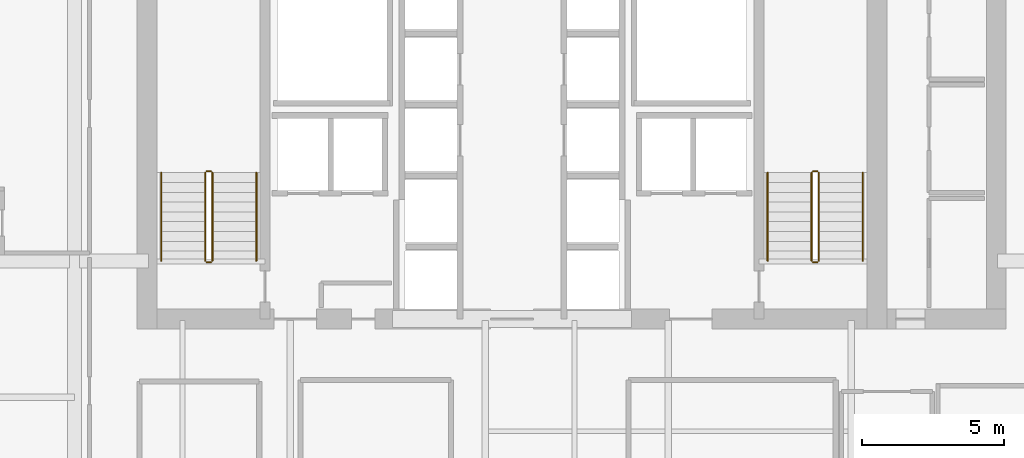
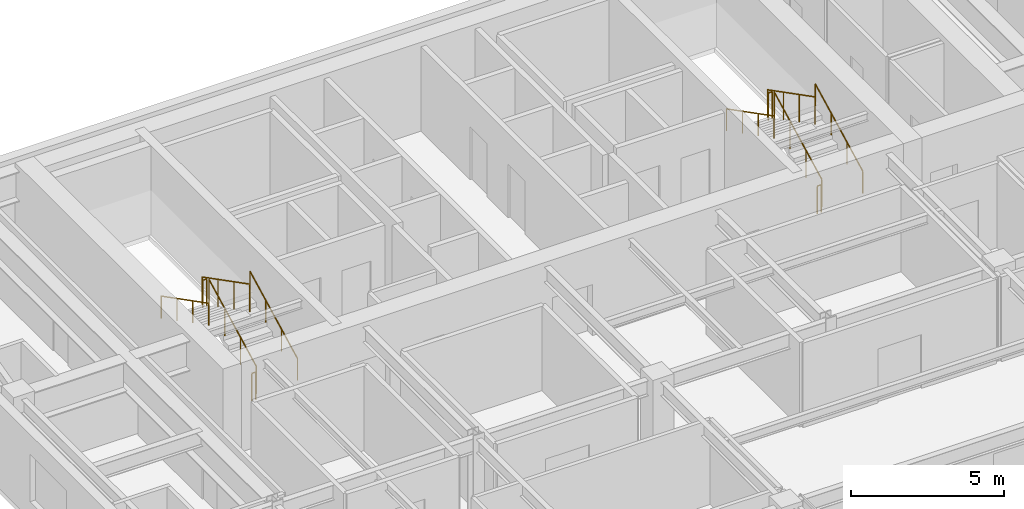
# One storey, part 15 of 15: 12 railings.
"""IFC4 building model written with IfcOpenShell, lengths in metres."""

from ifc_helpers import new_model, si_unit, direction, frame, origin, origin_2d, place, context, subcontext, project, spatial, circle, extrude, material, type_object, element, save


model = new_model("IFC4")

# Units and contexts
model_context = context("Model", 3, precision=1e-05, world=origin(), true_north=direction((0.0, 1.0)))
body_context = subcontext(model_context, "Body", "Model", "MODEL_VIEW")
ifc_project = project(units=[si_unit("LENGTHUNIT", "METRE"), si_unit("AREAUNIT", "SQUARE_METRE"), si_unit("VOLUMEUNIT", "CUBIC_METRE"), si_unit("PLANEANGLEUNIT", "RADIAN"), si_unit("MASSUNIT", "GRAM", prefix="KILO")], contexts=[model_context])

# Site, building, storey
site_placement = place(None, origin())
site = spatial("IfcSite", under=ifc_project, at=site_placement, CompositionType="ELEMENT")
building_placement = place(site_placement, origin())
building = spatial("IfcBuilding", under=site, at=building_placement, Name="Tolvann Quenvar Hotel", CompositionType="ELEMENT")
storey_placement = place(building_placement, frame((0.0, 0.0, 164.800048828125)))
storey = spatial("IfcBuildingStorey", under=building, at=storey_placement, Name="L43", CompositionType="ELEMENT", Elevation=164.800048828125)

# Railings
ifc_material = material(Name="Brushed 316 stainless steel balustrade and handrail", Category="steel")
railing_type_1 = type_object("IfcRailingType", Name="GUARDRAIL", PredefinedType="GUARDRAIL", material=ifc_material)
railing_1_placement = place(storey_placement, frame((12.449951171875, 34.0, 0.177490234375)))
element("IfcRailing", 1, at=railing_1_placement, inside=storey, type_object=railing_type_1, Name="L43 ST-C1 stair guard 1", PredefinedType="GUARDRAIL", context=body_context, shape_type="SweptSolid", body=[
    extrude(circle(Radius=0.02392578125, at=origin_2d()), frame((0.0, 0.0, 1.09619140625), z_axis=(0.0, 0.889221982265, 0.45747597342), x_axis=(-1.0, 0.0, 0.0)), (0.0, 0.0, 1.0), 3.49169921875),
    extrude(circle(Radius=0.02099609375, at=origin_2d()), origin(), (0.0, 0.0, 1.0), 1.072021484375),
    extrude(circle(Radius=0.02099609375, at=origin_2d()), frame((0.0, 1.034912109375, 0.532470703125)), (0.0, 0.0, 1.0), 1.072021484375),
    extrude(circle(Radius=0.02099609375, at=origin_2d()), frame((0.0, 2.070068359375, 1.06494140625)), (0.0, 0.0, 1.0), 1.072021484375),
    extrude(circle(Radius=0.02099609375, at=origin_2d()), frame((0.0, 3.10498046875, 1.597412109375)), (0.0, 0.0, 1.0), 1.072021484375),
])
railing_2_placement = place(storey_placement, frame((12.39990234375, 37.155029296875, 1.77490234375)))
element("IfcRailing", 2, at=railing_2_placement, inside=storey, type_object=railing_type_1, Name="L43 ST-C1 stair guard 2", PredefinedType="GUARDRAIL", context=body_context, shape_type="SweptSolid", body=[
    extrude(circle(Radius=0.02392578125, at=origin_2d()), frame((0.0, 0.0, 1.09619140625), z_axis=(-1.0, 0.0, 0.0), x_axis=(0.0, -1.0, 0.0)), (0.0, 0.0, 1.0), 0.14990234375),
    extrude(circle(Radius=0.02099609375, at=origin_2d()), origin(), (0.0, 0.0, 1.0), 1.072021484375),
    extrude(circle(Radius=0.02099609375, at=origin_2d()), frame((-0.14990234375, 0.0, 0.0)), (0.0, 0.0, 1.0), 1.072021484375),
])
railing_3_placement = place(storey_placement, frame((12.199951171875, 37.10498046875, 1.952392578125)))
element("IfcRailing", 3, at=railing_3_placement, inside=storey, type_object=railing_type_1, Name="L43 ST-C1 stair guard 3", PredefinedType="GUARDRAIL", context=body_context, shape_type="SweptSolid", body=[
    extrude(circle(Radius=0.02392578125, at=origin_2d()), frame((0.0, 0.0, 1.09619140625), z_axis=(0.0, -0.88919353882, 0.457531256332), x_axis=(1.0, 0.0, 0.0)), (0.0, 0.0, 1.0), 3.491943359375),
    extrude(circle(Radius=0.02099609375, at=origin_2d()), origin(), (0.0, 0.0, 1.0), 1.072021484375),
    extrude(circle(Radius=0.02099609375, at=origin_2d()), frame((0.0, -1.034912109375, 0.532470703125)), (0.0, 0.0, 1.0), 1.072021484375),
    extrude(circle(Radius=0.02099609375, at=origin_2d()), frame((0.0, -2.070068359375, 1.065185546875)), (0.0, 0.0, 1.0), 1.072021484375),
    extrude(circle(Radius=0.02099609375, at=origin_2d()), frame((0.0, -3.10498046875, 1.59765625)), (0.0, 0.0, 1.0), 1.072021484375),
])
railing_4_placement = place(storey_placement, frame((12.39990234375, 33.949951171875, 0.0)))
element("IfcRailing", 4, at=railing_4_placement, inside=storey, type_object=railing_type_1, Name="L43 ST-C1 stair guard 4", PredefinedType="GUARDRAIL", context=body_context, shape_type="SweptSolid", body=[
    extrude(circle(Radius=0.02392578125, at=origin_2d()), frame((0.0, 0.0, 1.09619140625), z_axis=(-1.0, 0.0, 0.0), x_axis=(0.0, -1.0, 0.0)), (0.0, 0.0, 1.0), 0.14990234375),
    extrude(circle(Radius=0.02099609375, at=origin_2d()), origin(), (0.0, 0.0, 1.0), 1.072021484375),
    extrude(circle(Radius=0.02099609375, at=origin_2d()), frame((-0.14990234375, 0.0, 0.0)), (0.0, 0.0, 1.0), 1.072021484375),
])
railing_5_placement = place(storey_placement, frame((33.800048828125, 34.0, 0.177490234375)))
element("IfcRailing", 5, at=railing_5_placement, inside=storey, type_object=railing_type_1, Name="L43 ST-C2 stair guard 1", PredefinedType="GUARDRAIL", context=body_context, shape_type="SweptSolid", body=[
    extrude(circle(Radius=0.02392578125, at=origin_2d()), frame((0.0, 0.0, 1.09619140625), z_axis=(0.0, 0.889221982265, 0.45747597342), x_axis=(-1.0, 0.0, 0.0)), (0.0, 0.0, 1.0), 3.49169921875),
    extrude(circle(Radius=0.02099609375, at=origin_2d()), origin(), (0.0, 0.0, 1.0), 1.072021484375),
    extrude(circle(Radius=0.02099609375, at=origin_2d()), frame((0.0, 1.034912109375, 0.532470703125)), (0.0, 0.0, 1.0), 1.072021484375),
    extrude(circle(Radius=0.02099609375, at=origin_2d()), frame((0.0, 2.070068359375, 1.06494140625)), (0.0, 0.0, 1.0), 1.072021484375),
    extrude(circle(Radius=0.02099609375, at=origin_2d()), frame((0.0, 3.10498046875, 1.597412109375)), (0.0, 0.0, 1.0), 1.072021484375),
])
railing_6_placement = place(storey_placement, frame((33.75, 37.155029296875, 1.77490234375)))
element("IfcRailing", 6, at=railing_6_placement, inside=storey, type_object=railing_type_1, Name="L43 ST-C2 stair guard 2", PredefinedType="GUARDRAIL", context=body_context, shape_type="SweptSolid", body=[
    extrude(circle(Radius=0.02392578125, at=origin_2d()), frame((0.0, 0.0, 1.09619140625), z_axis=(-1.0, 0.0, 0.0), x_axis=(0.0, -1.0, 0.0)), (0.0, 0.0, 1.0), 0.14990234375),
    extrude(circle(Radius=0.02099609375, at=origin_2d()), origin(), (0.0, 0.0, 1.0), 1.072021484375),
    extrude(circle(Radius=0.02099609375, at=origin_2d()), frame((-0.14990234375, 0.0, 0.0)), (0.0, 0.0, 1.0), 1.072021484375),
])
railing_7_placement = place(storey_placement, frame((33.550048828125, 37.10498046875, 1.952392578125)))
element("IfcRailing", 7, at=railing_7_placement, inside=storey, type_object=railing_type_1, Name="L43 ST-C2 stair guard 3", PredefinedType="GUARDRAIL", context=body_context, shape_type="SweptSolid", body=[
    extrude(circle(Radius=0.02392578125, at=origin_2d()), frame((0.0, 0.0, 1.09619140625), z_axis=(0.0, -0.88919353882, 0.457531256332), x_axis=(1.0, 0.0, 0.0)), (0.0, 0.0, 1.0), 3.491943359375),
    extrude(circle(Radius=0.02099609375, at=origin_2d()), origin(), (0.0, 0.0, 1.0), 1.072021484375),
    extrude(circle(Radius=0.02099609375, at=origin_2d()), frame((0.0, -1.034912109375, 0.532470703125)), (0.0, 0.0, 1.0), 1.072021484375),
    extrude(circle(Radius=0.02099609375, at=origin_2d()), frame((0.0, -2.070068359375, 1.065185546875)), (0.0, 0.0, 1.0), 1.072021484375),
    extrude(circle(Radius=0.02099609375, at=origin_2d()), frame((0.0, -3.10498046875, 1.59765625)), (0.0, 0.0, 1.0), 1.072021484375),
])
railing_8_placement = place(storey_placement, frame((33.75, 33.949951171875, 0.0)))
element("IfcRailing", 8, at=railing_8_placement, inside=storey, type_object=railing_type_1, Name="L43 ST-C2 stair guard 4", PredefinedType="GUARDRAIL", context=body_context, shape_type="SweptSolid", body=[
    extrude(circle(Radius=0.02392578125, at=origin_2d()), frame((0.0, 0.0, 1.09619140625), z_axis=(-1.0, 0.0, 0.0), x_axis=(0.0, -1.0, 0.0)), (0.0, 0.0, 1.0), 0.14990234375),
    extrude(circle(Radius=0.02099609375, at=origin_2d()), origin(), (0.0, 0.0, 1.0), 1.072021484375),
    extrude(circle(Radius=0.02099609375, at=origin_2d()), frame((-0.14990234375, 0.0, 0.0)), (0.0, 0.0, 1.0), 1.072021484375),
])
railing_type_2 = type_object("IfcRailingType", Name="HANDRAIL", PredefinedType="HANDRAIL", material=ifc_material)
railing_9_placement = place(storey_placement, frame((14.0, 34.0, 0.177490234375)))
element("IfcRailing", 9, at=railing_9_placement, inside=storey, type_object=railing_type_2, Name="L43 ST-C1 stair handrail 1", PredefinedType="HANDRAIL", context=body_context, shape_type="SweptSolid", body=[
    extrude(circle(Radius=0.02392578125, at=origin_2d()), frame((0.0, 0.0, 0.8759765625), z_axis=(0.0, 0.889221982265, 0.45747597342), x_axis=(-1.0, 0.0, 0.0)), (0.0, 0.0, 1.0), 3.49169921875),
    extrude(circle(Radius=0.02099609375, at=origin_2d()), origin(), (0.0, 0.0, 1.0), 0.851806640625),
    extrude(circle(Radius=0.02099609375, at=origin_2d()), frame((0.0, 1.034912109375, 0.532470703125)), (0.0, 0.0, 1.0), 0.851806640625),
    extrude(circle(Radius=0.02099609375, at=origin_2d()), frame((0.0, 2.070068359375, 1.06494140625)), (0.0, 0.0, 1.0), 0.851806640625),
    extrude(circle(Radius=0.02099609375, at=origin_2d()), frame((0.0, 3.10498046875, 1.597412109375)), (0.0, 0.0, 1.0), 0.851806640625),
])
railing_10_placement = place(storey_placement, frame((10.64990234375, 37.10498046875, 1.952392578125)))
element("IfcRailing", 10, at=railing_10_placement, inside=storey, type_object=railing_type_2, Name="L43 ST-C1 stair handrail 2", PredefinedType="HANDRAIL", context=body_context, shape_type="SweptSolid", body=[
    extrude(circle(Radius=0.02392578125, at=origin_2d()), frame((0.0, 0.0, 0.8759765625), z_axis=(0.0, -0.88919353882, 0.457531256332), x_axis=(1.0, 0.0, 0.0)), (0.0, 0.0, 1.0), 3.491943359375),
    extrude(circle(Radius=0.02099609375, at=origin_2d()), origin(), (0.0, 0.0, 1.0), 0.851806640625),
    extrude(circle(Radius=0.02099609375, at=origin_2d()), frame((0.0, -1.034912109375, 0.532470703125)), (0.0, 0.0, 1.0), 0.851806640625),
    extrude(circle(Radius=0.02099609375, at=origin_2d()), frame((0.0, -2.070068359375, 1.065185546875)), (0.0, 0.0, 1.0), 0.851806640625),
    extrude(circle(Radius=0.02099609375, at=origin_2d()), frame((0.0, -3.10498046875, 1.59765625)), (0.0, 0.0, 1.0), 0.851806640625),
])
railing_11_placement = place(storey_placement, frame((35.35009765625, 34.0, 0.177490234375)))
element("IfcRailing", 11, at=railing_11_placement, inside=storey, type_object=railing_type_2, Name="L43 ST-C2 stair handrail 1", PredefinedType="HANDRAIL", context=body_context, shape_type="SweptSolid", body=[
    extrude(circle(Radius=0.02392578125, at=origin_2d()), frame((0.0, 0.0, 0.8759765625), z_axis=(0.0, 0.889221982265, 0.45747597342), x_axis=(-1.0, 0.0, 0.0)), (0.0, 0.0, 1.0), 3.49169921875),
    extrude(circle(Radius=0.02099609375, at=origin_2d()), origin(), (0.0, 0.0, 1.0), 0.851806640625),
    extrude(circle(Radius=0.02099609375, at=origin_2d()), frame((0.0, 1.034912109375, 0.532470703125)), (0.0, 0.0, 1.0), 0.851806640625),
    extrude(circle(Radius=0.02099609375, at=origin_2d()), frame((0.0, 2.070068359375, 1.06494140625)), (0.0, 0.0, 1.0), 0.851806640625),
    extrude(circle(Radius=0.02099609375, at=origin_2d()), frame((0.0, 3.10498046875, 1.597412109375)), (0.0, 0.0, 1.0), 0.851806640625),
])
railing_12_placement = place(storey_placement, frame((32.0, 37.10498046875, 1.952392578125)))
element("IfcRailing", 12, at=railing_12_placement, inside=storey, type_object=railing_type_2, Name="L43 ST-C2 stair handrail 2", PredefinedType="HANDRAIL", context=body_context, shape_type="SweptSolid", body=[
    extrude(circle(Radius=0.02392578125, at=origin_2d()), frame((0.0, 0.0, 0.8759765625), z_axis=(0.0, -0.88919353882, 0.457531256332), x_axis=(1.0, 0.0, 0.0)), (0.0, 0.0, 1.0), 3.491943359375),
    extrude(circle(Radius=0.02099609375, at=origin_2d()), origin(), (0.0, 0.0, 1.0), 0.851806640625),
    extrude(circle(Radius=0.02099609375, at=origin_2d()), frame((0.0, -1.034912109375, 0.532470703125)), (0.0, 0.0, 1.0), 0.851806640625),
    extrude(circle(Radius=0.02099609375, at=origin_2d()), frame((0.0, -2.070068359375, 1.065185546875)), (0.0, 0.0, 1.0), 0.851806640625),
    extrude(circle(Radius=0.02099609375, at=origin_2d()), frame((0.0, -3.10498046875, 1.59765625)), (0.0, 0.0, 1.0), 0.851806640625),
])

save(model, "model.ifc")
